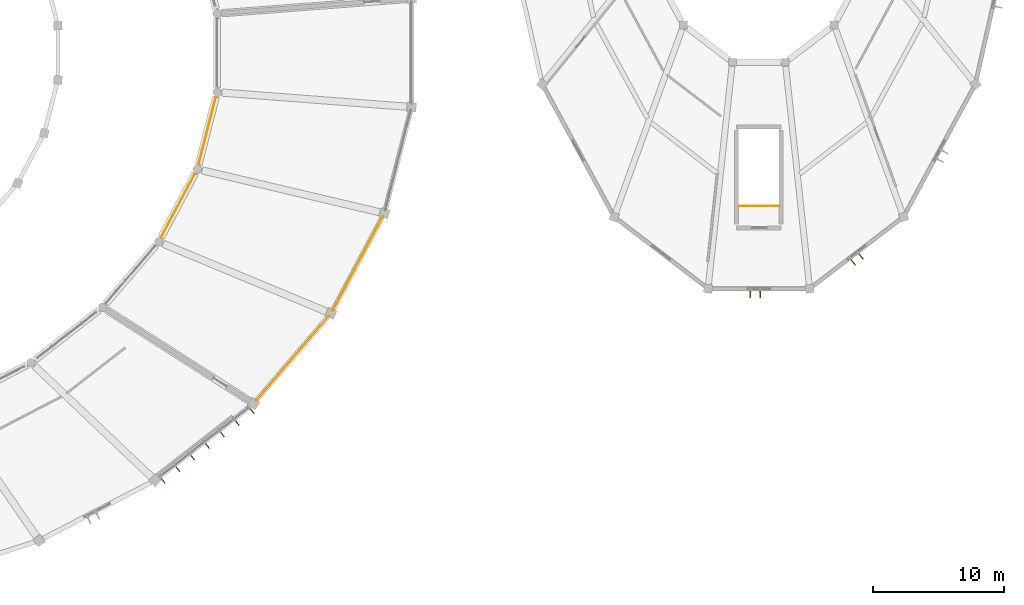
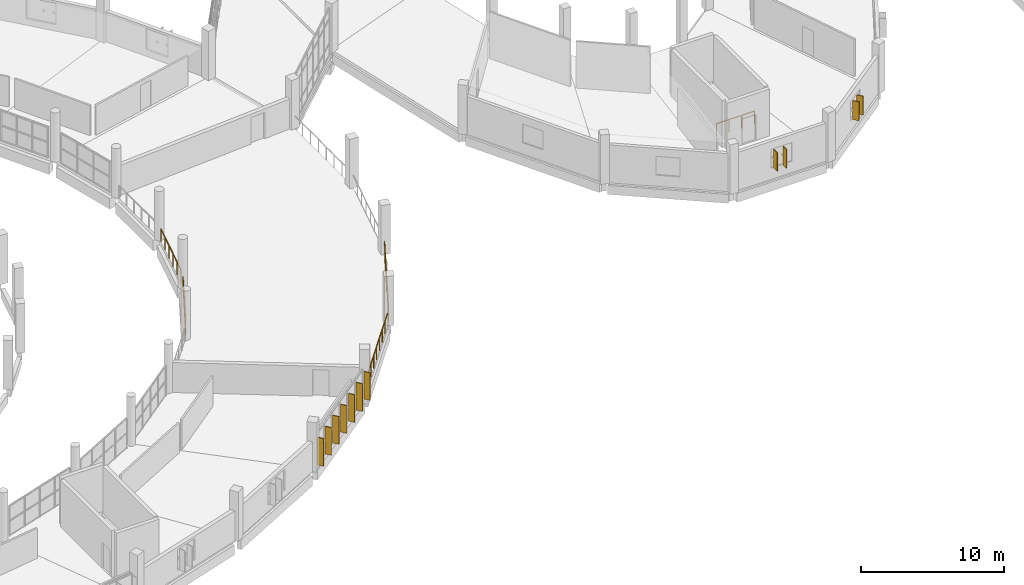
# One storey, part 131 of 142: 11 shading devices, 5 railings.
"""IFC4 building model written with IfcOpenShell, lengths in metres."""

from ifc_helpers import new_model, si_unit, direction, frame, origin, origin_2d, place, context, subcontext, project, spatial, rectangle, circle, extrude, material, layer, layer_set, type_object, element, save


model = new_model("IFC4")

# Units and contexts
model_context = context("Model", 3, precision=1e-05, world=origin(), true_north=direction((0.0, 1.0)))
body_context = subcontext(model_context, "Body", "Model", "MODEL_VIEW")
ifc_project = project(units=[si_unit("LENGTHUNIT", "METRE"), si_unit("AREAUNIT", "SQUARE_METRE"), si_unit("VOLUMEUNIT", "CUBIC_METRE"), si_unit("PLANEANGLEUNIT", "RADIAN"), si_unit("MASSUNIT", "GRAM", prefix="KILO")], contexts=[model_context])

# Site, building, storey
site_placement = place(None, origin())
site = spatial("IfcSite", under=ifc_project, at=site_placement, CompositionType="ELEMENT")
building_placement = place(site_placement, origin())
building = spatial("IfcBuilding", under=site, at=building_placement, Name="Corvandel Quay Wholesale Market", CompositionType="ELEMENT")
storey_placement = place(building_placement, frame((0.0, 0.0, 10.800048828125)))
storey = spatial("IfcBuildingStorey", under=building, at=storey_placement, Name="L02", CompositionType="ELEMENT", Elevation=10.800048828125)

# Railings
ifc_material_1 = material(Name="Hot-dip galvanised painted steel", Category="steel")
ifc_layer_1 = layer(ifc_material_1, 0.06005859375)
ifc_layer_set_1 = layer_set([ifc_layer_1], Name="Hot-dip galvanised painted steel")
railing_type_1 = type_object("IfcRailingType", Name="Galvanised Steel Guard Balustrade GR01 1100mm", PredefinedType="BALUSTRADE", material=ifc_layer_set_1)
railing_1_placement = place(storey_placement, frame((156.12109375, 15.431884765625, 0.0)))
element("IfcRailing", 1, at=railing_1_placement, inside=storey, type_object=railing_type_1, Name="Produce Terrace Guard GR-0001", PredefinedType="BALUSTRADE", context=body_context, shape_type="SweptSolid", body=[
    extrude(circle(Radius=0.02392578125, at=origin_2d()), frame((0.0, 0.0, 1.076171875), z_axis=(0.651604375099, 0.75855898805, 0.0), x_axis=(-0.75855898805, 0.651604375099, 0.0)), (0.0, 0.0, 1.0), 8.528076171875),
    extrude(circle(Radius=0.02099609375, at=origin_2d()), origin(), (0.0, 0.0, 1.0), 1.052001953125),
    extrude(circle(Radius=0.02099609375, at=origin_2d()), frame((0.694580078125, 0.80859375, 0.0)), (0.0, 0.0, 1.0), 1.052001953125),
    extrude(circle(Radius=0.02099609375, at=origin_2d()), frame((1.38916015625, 1.6171875, 0.0)), (0.0, 0.0, 1.0), 1.052001953125),
    extrude(circle(Radius=0.02099609375, at=origin_2d()), frame((2.083740234375, 2.42578125, 0.0)), (0.0, 0.0, 1.0), 1.052001953125),
    extrude(circle(Radius=0.02099609375, at=origin_2d()), frame((2.7783203125, 3.234375, 0.0)), (0.0, 0.0, 1.0), 1.052001953125),
    extrude(circle(Radius=0.02099609375, at=origin_2d()), frame((3.47314453125, 4.043212890625, 0.0)), (0.0, 0.0, 1.0), 1.052001953125),
    extrude(circle(Radius=0.02099609375, at=origin_2d()), frame((4.167724609375, 4.851806640625, 0.0)), (0.0, 0.0, 1.0), 1.052001953125),
    extrude(circle(Radius=0.02099609375, at=origin_2d()), frame((4.8623046875, 5.660400390625, 0.0)), (0.0, 0.0, 1.0), 1.052001953125),
    extrude(circle(Radius=0.02099609375, at=origin_2d()), frame((5.556884765625, 6.468994140625, 0.0)), (0.0, 0.0, 1.0), 1.052001953125),
])
railing_2_placement = place(storey_placement, frame((161.98095703125, 22.343994140625, 0.0)))
element("IfcRailing", 2, at=railing_2_placement, inside=storey, type_object=railing_type_1, Name="Produce Terrace Guard GR-0002", PredefinedType="BALUSTRADE", context=body_context, shape_type="SweptSolid", body=[
    extrude(circle(Radius=0.02392578125, at=origin_2d()), frame((0.0, 0.0, 1.076171875), z_axis=(0.470084108505, 0.882621623875, 0.0), x_axis=(-0.882621623875, 0.470084108505, 0.0)), (0.0, 0.0, 1.0), 8.1201171875),
    extrude(circle(Radius=0.02099609375, at=origin_2d()), origin(), (0.0, 0.0, 1.0), 1.052001953125),
    extrude(circle(Radius=0.02099609375, at=origin_2d()), frame((0.54541015625, 1.02392578125, 0.0)), (0.0, 0.0, 1.0), 1.052001953125),
    extrude(circle(Radius=0.02099609375, at=origin_2d()), frame((1.090576171875, 2.047607421875, 0.0)), (0.0, 0.0, 1.0), 1.052001953125),
    extrude(circle(Radius=0.02099609375, at=origin_2d()), frame((1.635986328125, 3.071533203125, 0.0)), (0.0, 0.0, 1.0), 1.052001953125),
    extrude(circle(Radius=0.02099609375, at=origin_2d()), frame((2.18115234375, 4.095458984375, 0.0)), (0.0, 0.0, 1.0), 1.052001953125),
    extrude(circle(Radius=0.02099609375, at=origin_2d()), frame((2.7265625, 5.119384765625, 0.0)), (0.0, 0.0, 1.0), 1.052001953125),
    extrude(circle(Radius=0.02099609375, at=origin_2d()), frame((3.271728515625, 6.14306640625, 0.0)), (0.0, 0.0, 1.0), 1.052001953125),
    extrude(circle(Radius=0.02099609375, at=origin_2d()), frame((3.817138671875, 7.1669921875, 0.0)), (0.0, 0.0, 1.0), 1.052001953125),
])
railing_3_placement = place(storey_placement, frame((148.89111328125, 27.947998046875, 0.0)))
element("IfcRailing", 3, at=railing_3_placement, inside=storey, type_object=railing_type_1, Name="Terrace Inner Guard GR-0006", PredefinedType="BALUSTRADE", context=body_context, shape_type="SweptSolid", body=[
    extrude(circle(Radius=0.02392578125, at=origin_2d()), frame((0.0, 0.0, 1.076171875), z_axis=(0.470213010031, 0.882552958863, 0.0), x_axis=(-0.882552958863, 0.470213010031, 0.0)), (0.0, 0.0, 1.0), 5.437744140625),
    extrude(circle(Radius=0.02099609375, at=origin_2d()), origin(), (0.0, 0.0, 1.0), 1.052001953125),
    extrude(circle(Radius=0.02099609375, at=origin_2d()), frame((0.511474609375, 0.959716796875, 0.0)), (0.0, 0.0, 1.0), 1.052001953125),
    extrude(circle(Radius=0.02099609375, at=origin_2d()), frame((1.022705078125, 1.919677734375, 0.0)), (0.0, 0.0, 1.0), 1.052001953125),
    extrude(circle(Radius=0.02099609375, at=origin_2d()), frame((1.5341796875, 2.87939453125, 0.0)), (0.0, 0.0, 1.0), 1.052001953125),
    extrude(circle(Radius=0.02099609375, at=origin_2d()), frame((2.04541015625, 3.83935546875, 0.0)), (0.0, 0.0, 1.0), 1.052001953125),
    extrude(circle(Radius=0.02099609375, at=origin_2d()), frame((2.556884765625, 4.799072265625, 0.0)), (0.0, 0.0, 1.0), 1.052001953125),
])
railing_4_placement = place(storey_placement, frame((151.7490234375, 33.52490234375, 0.0)))
element("IfcRailing", 4, at=railing_4_placement, inside=storey, type_object=railing_type_1, Name="Terrace Inner Guard GR-0007", PredefinedType="BALUSTRADE", context=body_context, shape_type="SweptSolid", body=[
    extrude(circle(Radius=0.02392578125, at=origin_2d()), frame((0.0, 0.0, 1.076171875), z_axis=(0.247856674534, 0.968796711849, 0.0), x_axis=(-0.968796711849, 0.247856674534, 0.0)), (0.0, 0.0, 1.0), 5.232421875),
    extrude(circle(Radius=0.02099609375, at=origin_2d()), origin(), (0.0, 0.0, 1.0), 1.052001953125),
    extrude(circle(Radius=0.02099609375, at=origin_2d()), frame((0.25927734375, 1.013916015625, 0.0)), (0.0, 0.0, 1.0), 1.052001953125),
    extrude(circle(Radius=0.02099609375, at=origin_2d()), frame((0.518798828125, 2.027587890625, 0.0)), (0.0, 0.0, 1.0), 1.052001953125),
    extrude(circle(Radius=0.02099609375, at=origin_2d()), frame((0.778076171875, 3.04150390625, 0.0)), (0.0, 0.0, 1.0), 1.052001953125),
    extrude(circle(Radius=0.02099609375, at=origin_2d()), frame((1.03759765625, 4.05517578125, 0.0)), (0.0, 0.0, 1.0), 1.052001953125),
    extrude(circle(Radius=0.02099609375, at=origin_2d()), frame((1.296875, 5.069091796875, 0.0)), (0.0, 0.0, 1.0), 1.052001953125),
])
ifc_material_2 = material(Name="Painted galvanised tubular steel", Category="steel")
ifc_layer_2 = layer(ifc_material_2, 0.054931640625)
ifc_layer_set_2 = layer_set([ifc_layer_2], Name="Painted galvanised tubular steel")
railing_type_2 = type_object("IfcRailingType", Name="Stairwell Inner Guard Railing GR02 1100mm", PredefinedType="GUARDRAIL", material=ifc_layer_set_2)
railing_5_placement = place(storey_placement, frame((192.969970703125, 30.300048828125, 0.0)))
element("IfcRailing", 5, at=railing_5_placement, inside=storey, type_object=railing_type_2, Name="Stair Top Well Guard SH09-L02", PredefinedType="GUARDRAIL", context=body_context, shape_type="SweptSolid", body=[
    extrude(circle(Radius=0.02392578125, at=origin_2d()), frame((0.0, 0.0, 1.076171875), z_axis=(1.0, 0.0, 0.0), x_axis=(0.0, 1.0, 0.0)), (0.0, 0.0, 1.0), 3.06005859375),
    extrude(circle(Radius=0.02099609375, at=origin_2d()), origin(), (0.0, 0.0, 1.0), 1.052001953125),
    extrude(circle(Radius=0.02099609375, at=origin_2d()), frame((1.02001953125, 0.0, 0.0)), (0.0, 0.0, 1.0), 1.052001953125),
    extrude(circle(Radius=0.02099609375, at=origin_2d()), frame((2.0400390625, 0.0, 0.0)), (0.0, 0.0, 1.0), 1.052001953125),
    extrude(circle(Radius=0.02099609375, at=origin_2d()), frame((3.06005859375, 0.0, 0.0)), (0.0, 0.0, 1.0), 1.052001953125),
])

# Shading devices
ifc_material_3 = material(Name="Bronze anodised extruded aluminium 6063-T6", Category="aluminium")
shading_device_type = type_object("IfcShadingDeviceType", Name="Vertical Anodised Bronze Solar Fin FN01 480mm", PredefinedType="JALOUSIE", material=ifc_material_3)
for number, where, z_axis, x_axis, name in (
    (6, (149.011474609375, 9.352294921875, 0.099853515625), (0.0, 0.0, 1.0), (-0.614009720373, 0.789298462742, 0.0), "Solar Fin 0210"),
    (7, (150.146728515625, 10.2353515625, 0.099853515625), (0.0, 0.0, 1.0), (-0.614009720373, 0.789298462742, 0.0), "Solar Fin 0211"),
    (8, (151.281982421875, 11.118408203125, 0.099853515625), (0.0, 0.0, 1.0), (-0.614009720373, 0.789298462742, 0.0), "Solar Fin 0212"),
    (9, (152.417236328125, 12.001708984375, 0.099853515625), (0.0, 0.0, 1.0), (-0.614009720373, 0.789298462742, 0.0), "Solar Fin 0213"),
    (10, (153.552490234375, 12.884521484375, 0.099853515625), (0.0, 0.0, 1.0), (-0.614009720373, 0.789298462742, 0.0), "Solar Fin 0214"),
    (11, (154.687744140625, 13.767578125, 0.099853515625), (0.0, 0.0, 1.0), (-0.614009720373, 0.789298462742, 0.0), "Solar Fin 0215"),
    (12, (155.822998046875, 14.65087890625, 0.099853515625), (0.0, 0.0, 1.0), (-0.614009720373, 0.789298462742, 0.0), "Solar Fin 0216"),
):
    element("IfcShadingDevice", number, at=place(storey_placement, frame(where, z_axis=z_axis, x_axis=x_axis)), inside=storey, type_object=shading_device_type, Name=name, PredefinedType="JALOUSIE", context=body_context, shape_type="SweptSolid", body=[
        extrude(rectangle(XDim=0.47998046875, YDim=0.06494140625, at=origin_2d()), origin(), (0.0, 0.0, 1.0), 2.35009765625),
    ])
for number, where, z_axis, x_axis, name in (
    (13, (193.85009765625, 23.56005859375, 0.949951171875), (0.0, 0.0, 1.0), (0.0, 1.0, 0.0), "Solar Fin 0477"),
    (14, (194.60009765625, 23.56005859375, 0.949951171875), (0.0, 0.0, 1.0), (0.0, 1.0, 0.0), "Solar Fin 0478"),
    (15, (201.713134765625, 25.99609375, 0.949951171875), (0.0, 0.0, 1.0), (-0.607514481979, 0.794308601354, 0.0), "Solar Fin 0488"),
    (16, (202.30908203125, 26.45166015625, 0.949951171875), (0.0, 0.0, 1.0), (-0.607514481979, 0.794308601354, 0.0), "Solar Fin 0489"),
):
    element("IfcShadingDevice", number, at=place(storey_placement, frame(where, z_axis=z_axis, x_axis=x_axis)), inside=storey, type_object=shading_device_type, Name=name, PredefinedType="JALOUSIE", context=body_context, shape_type="SweptSolid", body=[
        extrude(rectangle(XDim=0.47998046875, YDim=0.06494140625, at=origin_2d()), origin(), (0.0, 0.0, 1.0), 1.60009765625),
    ])

save(model, "model.ifc")
